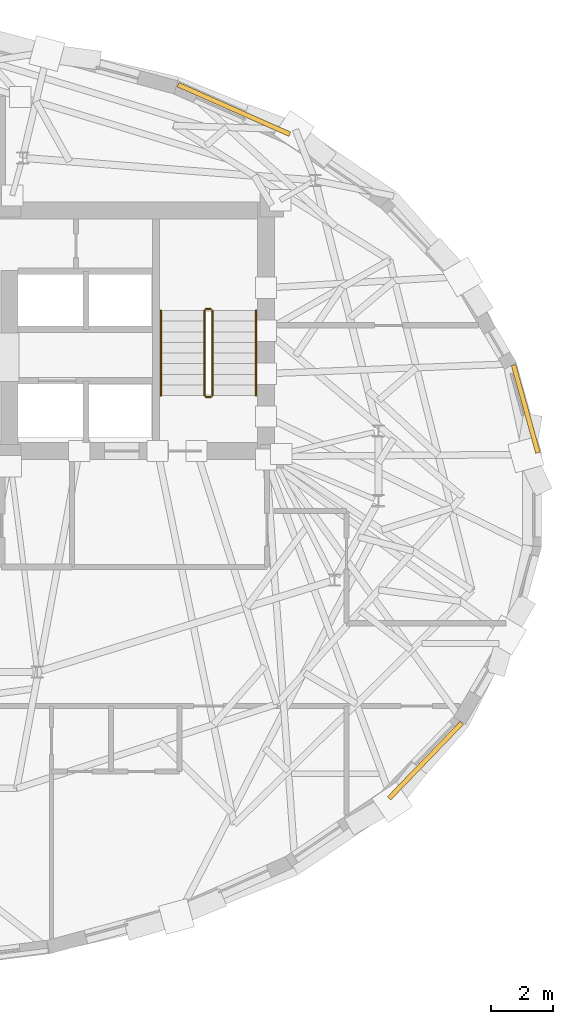
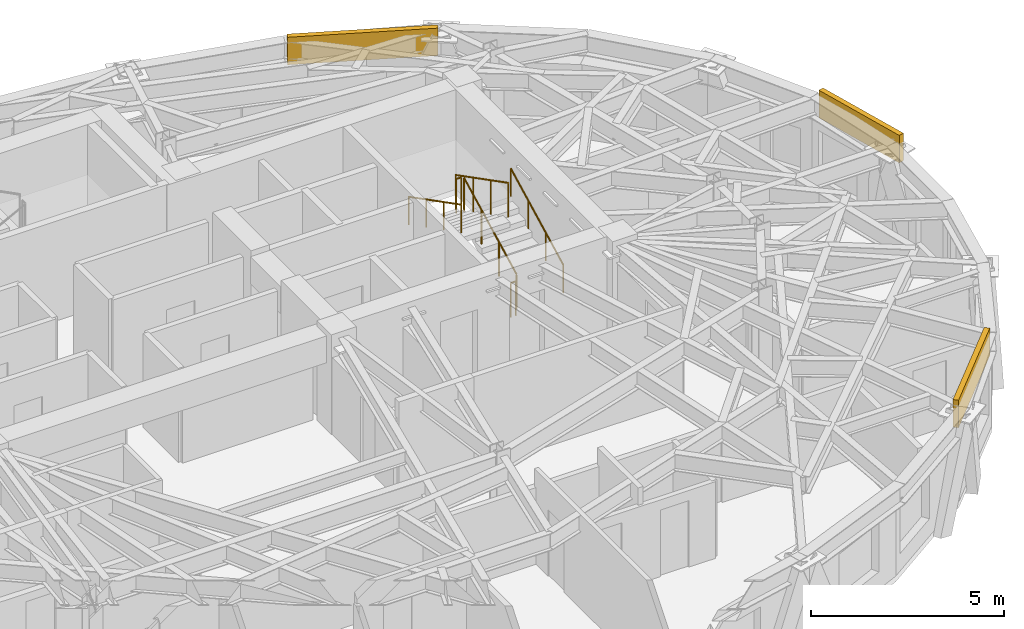
# One storey, part 13 of 13: 6 railings, 3 coverings.
"""IFC4 building model written with IfcOpenShell, lengths in metres."""

from ifc_helpers import new_model, si_unit, direction, frame, origin, origin_2d, place, context, subcontext, project, spatial, rectangle, circle, extrude, material, layer, layer_set, type_object, element, save


model = new_model("IFC4")

# Units and contexts
model_context = context("Model", 3, precision=1e-05, world=origin(), true_north=direction((0.0, 1.0)))
body_context = subcontext(model_context, "Body", "Model", "MODEL_VIEW")
ifc_project = project(units=[si_unit("LENGTHUNIT", "METRE"), si_unit("AREAUNIT", "SQUARE_METRE"), si_unit("VOLUMEUNIT", "CUBIC_METRE"), si_unit("PLANEANGLEUNIT", "RADIAN"), si_unit("MASSUNIT", "GRAM", prefix="KILO")], contexts=[model_context])

# Site, building, storey
site_placement = place(None, origin())
site = spatial("IfcSite", under=ifc_project, at=site_placement, CompositionType="ELEMENT")
building_placement = place(site_placement, origin())
building = spatial("IfcBuilding", under=site, at=building_placement, Name="Keldmark Tower", CompositionType="ELEMENT")
storey_placement = place(building_placement, frame((0.0, 0.0, 232.050048828125)))
storey = spatial("IfcBuildingStorey", under=building, at=storey_placement, Name="L65", CompositionType="ELEMENT", Elevation=232.050048828125)

# Coverings
ifc_material_1 = material(Name="Honed Kasota Buff Dolomitic Limestone", Category="masonry")
ifc_layer = layer(ifc_material_1, 0.074951171875)
ifc_layer_set = layer_set([ifc_layer], Name="Honed Kasota Buff Dolomitic Limestone")
covering_type = type_object("IfcCoveringType", Name="Kasota Buff Limestone Spandrel Cladding Band", PredefinedType="CLADDING", material=ifc_layer_set)
covering_1_placement = place(storey_placement, frame((21.746826171875, 2.919921875, 2.260009765625), z_axis=(0.0, 0.0, 1.0), x_axis=(-0.267742895148, 0.963490395436, 0.0)))
element("IfcCovering", 1, at=covering_1_placement, inside=storey, type_object=covering_type, Name="L65 Kasota Limestone Spandrel Band 01", PredefinedType="CLADDING", context=body_context, shape_type="SweptSolid", body=[
    extrude(rectangle(XDim=2.915771484375, YDim=0.14990234375, at=origin_2d()), origin(), (0.0, 0.0, 1.0), 0.8701171875),
])
covering_2_placement = place(storey_placement, frame((12.392333984375, 12.51904296875, 2.260009765625), z_axis=(0.0, 0.0, 1.0), x_axis=(-0.914190304464, 0.405285192457, 0.0)))
element("IfcCovering", 2, at=covering_2_placement, inside=storey, type_object=covering_type, Name="L65 Kasota Limestone Spandrel Band 05", PredefinedType="CLADDING", context=body_context, shape_type="SweptSolid", body=[
    extrude(rectangle(XDim=3.9169921875, YDim=0.14990234375, at=origin_2d()), origin(), (0.0, 0.0, 1.0), 0.8701171875),
])
covering_3_placement = place(storey_placement, frame((18.52978515625, -8.357421875, 2.260009765625), z_axis=(0.0, 0.0, 1.0), x_axis=(0.694030363635, 0.719945730144, 0.0)))
element("IfcCovering", 3, at=covering_3_placement, inside=storey, type_object=covering_type, Name="L65 Kasota Limestone Spandrel Band 29", PredefinedType="CLADDING", context=body_context, shape_type="SweptSolid", body=[
    extrude(rectangle(XDim=3.356201171875, YDim=0.14990234375, at=origin_2d()), origin(), (0.0, 0.0, 1.0), 0.8701171875),
])

# Railings
ifc_material_2 = material(Name="Painted Steel ASTM A500 Grade B", Category="steel")
railing_type_1 = type_object("IfcRailingType", Name="Painted Steel Stair Well Guard 1100 mm", PredefinedType="GUARDRAIL", material=ifc_material_2)
railing_1_placement = place(storey_placement, frame((11.699951171875, 3.35009765625, 0.175048828125)))
element("IfcRailing", 4, at=railing_1_placement, inside=storey, type_object=railing_type_1, Name="L65 ST2 stair guard 1", PredefinedType="GUARDRAIL", context=body_context, shape_type="SweptSolid", body=[
    extrude(circle(Radius=0.02392578125, at=origin_2d()), frame((0.0, 0.0, 1.076171875), z_axis=(0.0, 0.889146794209, 0.457622091194), x_axis=(-1.0, 0.0, 0.0)), (0.0, 0.0, 1.0), 3.05908203125),
    extrude(circle(Radius=0.02099609375, at=origin_2d()), origin(), (0.0, 0.0, 1.0), 1.052001953125),
    extrude(circle(Radius=0.02099609375, at=origin_2d()), frame((0.0, 0.90673828125, 0.466552734375)), (0.0, 0.0, 1.0), 1.052001953125),
    extrude(circle(Radius=0.02099609375, at=origin_2d()), frame((0.0, 1.813232421875, 0.933349609375)), (0.0, 0.0, 1.0), 1.052001953125),
    extrude(circle(Radius=0.02099609375, at=origin_2d()), frame((0.0, 2.719970703125, 1.39990234375)), (0.0, 0.0, 1.0), 1.052001953125),
])
railing_2_placement = place(storey_placement, frame((11.64990234375, 6.1201171875, 1.574951171875)))
element("IfcRailing", 5, at=railing_2_placement, inside=storey, type_object=railing_type_1, Name="L65 ST2 stair guard 2", PredefinedType="GUARDRAIL", context=body_context, shape_type="SweptSolid", body=[
    extrude(circle(Radius=0.02392578125, at=origin_2d()), frame((0.0, 0.0, 1.076171875), z_axis=(-1.0, 0.0, 0.0), x_axis=(0.0, -1.0, 0.0)), (0.0, 0.0, 1.0), 0.14990234375),
    extrude(circle(Radius=0.02099609375, at=origin_2d()), origin(), (0.0, 0.0, 1.0), 1.052001953125),
    extrude(circle(Radius=0.02099609375, at=origin_2d()), frame((-0.14990234375, 0.0, 0.0)), (0.0, 0.0, 1.0), 1.052001953125),
])
railing_3_placement = place(storey_placement, frame((11.449951171875, 6.070068359375, 1.75)))
element("IfcRailing", 6, at=railing_3_placement, inside=storey, type_object=railing_type_1, Name="L65 ST2 stair guard 3", PredefinedType="GUARDRAIL", context=body_context, shape_type="SweptSolid", body=[
    extrude(circle(Radius=0.02392578125, at=origin_2d()), frame((0.0, 0.0, 1.076171875), z_axis=(0.0, -0.889146794209, 0.457622091194), x_axis=(1.0, 0.0, 0.0)), (0.0, 0.0, 1.0), 3.05908203125),
    extrude(circle(Radius=0.02099609375, at=origin_2d()), origin(), (0.0, 0.0, 1.0), 1.052001953125),
    extrude(circle(Radius=0.02099609375, at=origin_2d()), frame((0.0, -0.90673828125, 0.466552734375)), (0.0, 0.0, 1.0), 1.052001953125),
    extrude(circle(Radius=0.02099609375, at=origin_2d()), frame((0.0, -1.813232421875, 0.933349609375)), (0.0, 0.0, 1.0), 1.052001953125),
    extrude(circle(Radius=0.02099609375, at=origin_2d()), frame((0.0, -2.719970703125, 1.39990234375)), (0.0, 0.0, 1.0), 1.052001953125),
])
railing_4_placement = place(storey_placement, frame((11.64990234375, 3.300048828125, 0.0)))
element("IfcRailing", 7, at=railing_4_placement, inside=storey, type_object=railing_type_1, Name="L65 ST2 stair guard 4", PredefinedType="GUARDRAIL", context=body_context, shape_type="SweptSolid", body=[
    extrude(circle(Radius=0.02392578125, at=origin_2d()), frame((0.0, 0.0, 1.076171875), z_axis=(-1.0, 0.0, 0.0), x_axis=(0.0, -1.0, 0.0)), (0.0, 0.0, 1.0), 0.14990234375),
    extrude(circle(Radius=0.02099609375, at=origin_2d()), origin(), (0.0, 0.0, 1.0), 1.052001953125),
    extrude(circle(Radius=0.02099609375, at=origin_2d()), frame((-0.14990234375, 0.0, 0.0)), (0.0, 0.0, 1.0), 1.052001953125),
])
ifc_material_3 = material(Name="Stainless Steel AISI 316L", Category="steel")
railing_type_2 = type_object("IfcRailingType", Name="Stainless Steel Stair Handrail 900 mm", PredefinedType="HANDRAIL", material=ifc_material_3)
railing_5_placement = place(storey_placement, frame((13.10009765625, 3.35009765625, 0.175048828125)))
element("IfcRailing", 8, at=railing_5_placement, inside=storey, type_object=railing_type_2, Name="L65 ST2 stair handrail 1", PredefinedType="HANDRAIL", context=body_context, shape_type="SweptSolid", body=[
    extrude(circle(Radius=0.02392578125, at=origin_2d()), frame((0.0, 0.0, 0.8759765625), z_axis=(0.0, 0.889146794209, 0.457622091194), x_axis=(-1.0, 0.0, 0.0)), (0.0, 0.0, 1.0), 3.05908203125),
    extrude(circle(Radius=0.02099609375, at=origin_2d()), origin(), (0.0, 0.0, 1.0), 0.851806640625),
    extrude(circle(Radius=0.02099609375, at=origin_2d()), frame((0.0, 0.90673828125, 0.466552734375)), (0.0, 0.0, 1.0), 0.851806640625),
    extrude(circle(Radius=0.02099609375, at=origin_2d()), frame((0.0, 1.813232421875, 0.933349609375)), (0.0, 0.0, 1.0), 0.851806640625),
    extrude(circle(Radius=0.02099609375, at=origin_2d()), frame((0.0, 2.719970703125, 1.39990234375)), (0.0, 0.0, 1.0), 0.851806640625),
])
railing_6_placement = place(storey_placement, frame((10.050048828125, 6.070068359375, 1.75)))
element("IfcRailing", 9, at=railing_6_placement, inside=storey, type_object=railing_type_2, Name="L65 ST2 stair handrail 2", PredefinedType="HANDRAIL", context=body_context, shape_type="SweptSolid", body=[
    extrude(circle(Radius=0.02392578125, at=origin_2d()), frame((0.0, 0.0, 0.8759765625), z_axis=(0.0, -0.889146794209, 0.457622091194), x_axis=(1.0, 0.0, 0.0)), (0.0, 0.0, 1.0), 3.05908203125),
    extrude(circle(Radius=0.02099609375, at=origin_2d()), origin(), (0.0, 0.0, 1.0), 0.851806640625),
    extrude(circle(Radius=0.02099609375, at=origin_2d()), frame((0.0, -0.90673828125, 0.466552734375)), (0.0, 0.0, 1.0), 0.851806640625),
    extrude(circle(Radius=0.02099609375, at=origin_2d()), frame((0.0, -1.813232421875, 0.933349609375)), (0.0, 0.0, 1.0), 0.851806640625),
    extrude(circle(Radius=0.02099609375, at=origin_2d()), frame((0.0, -2.719970703125, 1.39990234375)), (0.0, 0.0, 1.0), 0.851806640625),
])

save(model, "model.ifc")
